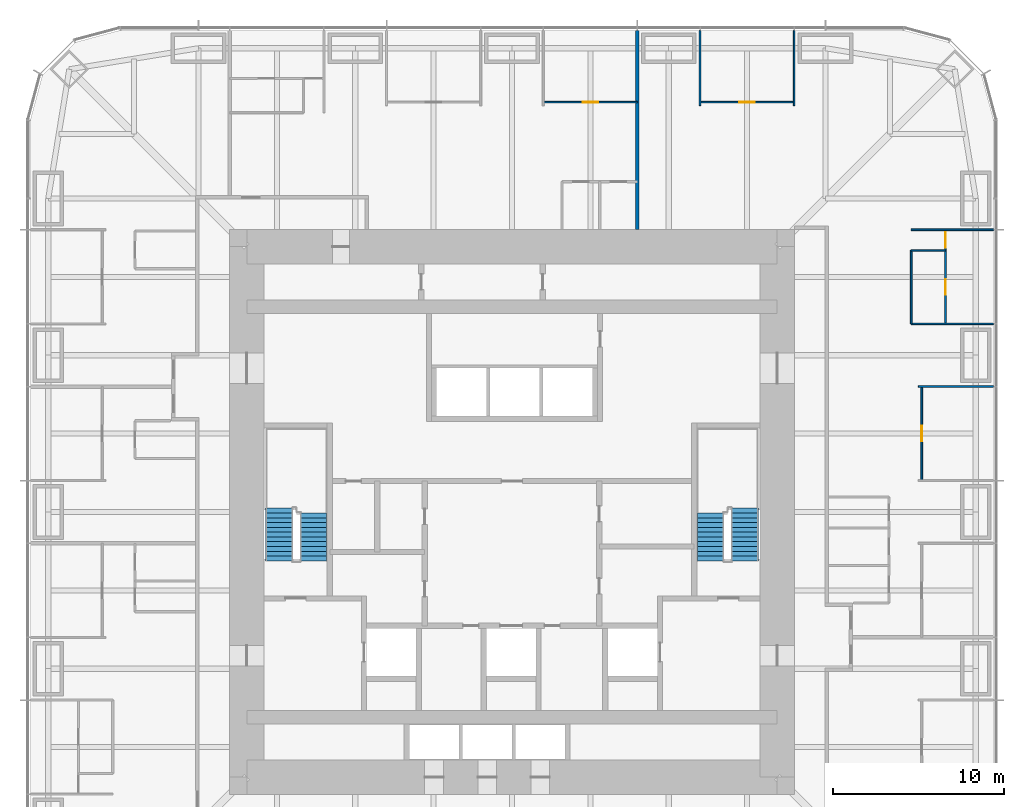
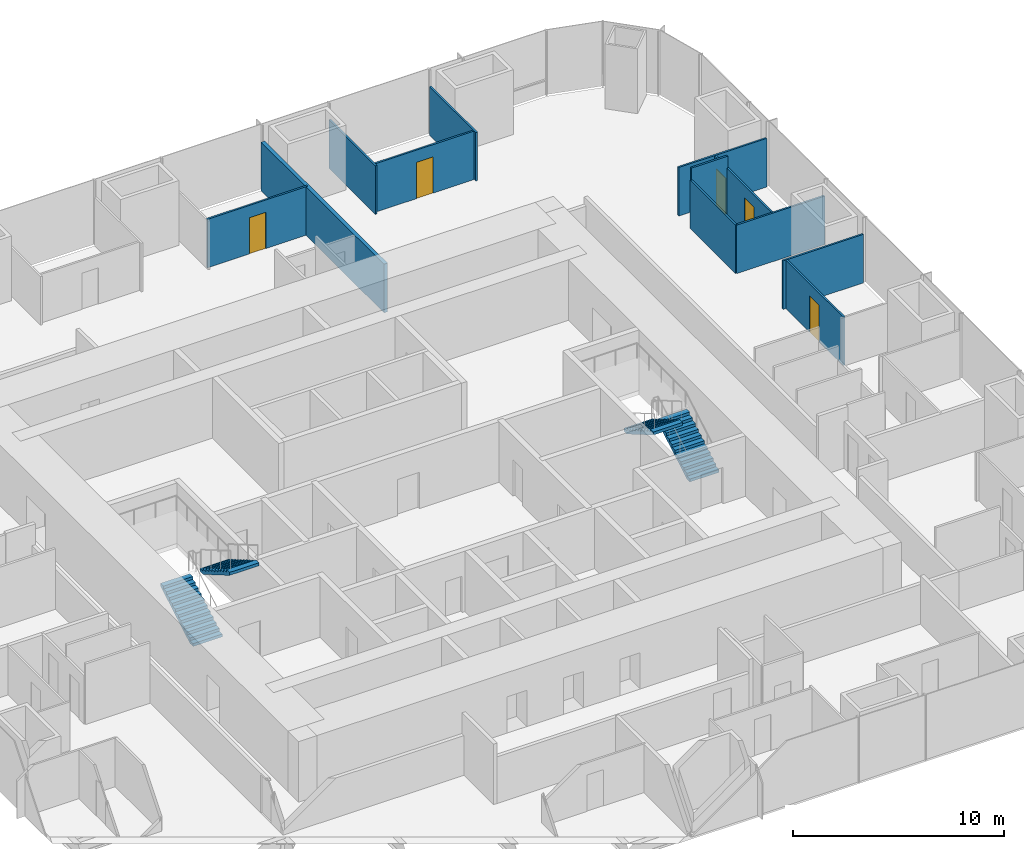
# One storey, part 11 of 12: 12 walls, 5 doors, 4 stair flights, 5 openings, 2 elements without a shape of their own.
"""IFC4 building model written with IfcOpenShell, lengths in metres."""

from ifc_helpers import new_model, si_unit, direction, frame, frame_2d, origin, place, context, subcontext, project, spatial, polyline, rectangle, outline, extrude, material, layer, layer_set, type_object, element, fill, aggregate, save


model = new_model("IFC4")

# Units and contexts
model_context = context("Model", 3, precision=1e-05, world=origin(), true_north=direction((0.0, 1.0)))
body_context = subcontext(model_context, "Body", "Model", "MODEL_VIEW")
ifc_project = project(units=[si_unit("LENGTHUNIT", "METRE"), si_unit("AREAUNIT", "SQUARE_METRE"), si_unit("VOLUMEUNIT", "CUBIC_METRE"), si_unit("PLANEANGLEUNIT", "RADIAN"), si_unit("MASSUNIT", "GRAM", prefix="KILO")], contexts=[model_context])

# Site, building, storey
site_placement = place(None, origin())
site = spatial("IfcSite", under=ifc_project, at=site_placement, CompositionType="ELEMENT")
building_placement = place(site_placement, origin())
building = spatial("IfcBuilding", under=site, at=building_placement, Name="Khuree Lantern Residences", CompositionType="ELEMENT")
storey_placement = place(building_placement, frame((0.0, 0.0, 178.5)))
storey = spatial("IfcBuildingStorey", under=building, at=storey_placement, Name="L45", CompositionType="ELEMENT", Elevation=178.5)

# Walls
ifc_material_1 = material(Name="Gypsum board on steel studs", Category="steel")
ifc_layer_1 = layer(ifc_material_1, 0.199951171875)
ifc_layer_set_1 = layer_set([ifc_layer_1], Name="DEMISING WALL DMW200 EI 90")
wall_type_1 = type_object("IfcWallType", Name="DEMISING WALL DMW200 EI 90", PredefinedType="PARTITIONING", material=ifc_layer_set_1)
wall_1_placement = place(storey_placement, frame((7.327880859375, 16.5, 0.0), z_axis=(0.0, 0.0, 1.0), x_axis=(0.0, 1.0, 0.0)))
element("IfcWall", 1, at=wall_1_placement, inside=storey, type_object=wall_type_1, Name="L45 DEMISING WALL 02", PredefinedType="PARTITIONING", context=body_context, shape_type="SweptSolid", body=[
    extrude(rectangle(XDim=11.64990234375, YDim=0.199951171875, at=frame_2d((5.824951171875, 0.0))), origin(), (0.0, 0.0, 1.0), 2.81005859375),
])
ifc_layer_2 = layer(ifc_material_1, 0.10009765625)
ifc_layer_set_2 = layer_set([ifc_layer_2], Name="PARTITION PT100")
wall_type_2 = type_object("IfcWallType", Name="PARTITION PT100", PredefinedType="PARTITIONING", material=ifc_layer_set_2)
wall_2_placement = place(storey_placement, frame((23.75, 7.327880859375, 0.0), z_axis=(0.0, 0.0, 1.0), x_axis=(1.0, 0.0, 0.0)))
element("IfcWall", 2, at=wall_2_placement, inside=storey, type_object=wall_type_2, Name="L45 PARTITION 01", PredefinedType="PARTITIONING", context=body_context, shape_type="SweptSolid", body=[
    extrude(rectangle(XDim=4.39990234375, YDim=0.10009765625, at=frame_2d((2.199951171875, 0.0))), origin(), (0.0, 0.0, 1.0), 2.81005859375),
])
for number, where, z_axis, x_axis, name in (
    (3, (23.329833984375, 10.991943359375, 0.0), (0.0, 0.0, 1.0), (1.0, 0.0, 0.0), "L45 PARTITION 01"),
    (4, (23.329833984375, 16.488037109375, 0.0), (0.0, 0.0, 1.0), (1.0, 0.0, 0.0), "L45 PARTITION 01"),
):
    element("IfcWall", number, at=place(storey_placement, frame(where, z_axis=z_axis, x_axis=x_axis)), inside=storey, type_object=wall_type_2, Name=name, PredefinedType="PARTITIONING", context=body_context, shape_type="SweptSolid", body=[
        extrude(rectangle(XDim=4.820068359375, YDim=0.10009765625, at=frame_2d((2.41015625, 0.0))), origin(), (0.0, 0.0, 1.0), 2.81005859375),
    ])
for number, where, z_axis, x_axis, name in (
    (5, (16.488037109375, 23.75, 0.0), (0.0, 0.0, 1.0), (0.0, 1.0, 0.0), "L45 PARTITION 01"),
    (6, (10.991943359375, 23.75, 0.0), (0.0, 0.0, 1.0), (0.0, 1.0, 0.0), "L45 PARTITION 01"),
):
    element("IfcWall", number, at=place(storey_placement, frame(where, z_axis=z_axis, x_axis=x_axis)), inside=storey, type_object=wall_type_2, Name=name, PredefinedType="PARTITIONING", context=body_context, shape_type="SweptSolid", body=[
        extrude(rectangle(XDim=4.39990234375, YDim=0.10009765625, at=frame_2d((2.199951171875, 0.0))), origin(), (0.0, 0.0, 1.0), 2.81005859375),
    ])

# Wall, opening, door
wall_3_placement = place(storey_placement, frame((23.949951171875, 1.83203125, 0.0), z_axis=(0.0, 0.0, 1.0), x_axis=(0.0, 1.0, 0.0)))
wall_3 = element("IfcWall", 7, at=wall_3_placement, inside=storey, type_object=wall_type_2, Name="L45 PARTITION 01", PredefinedType="PARTITIONING", context=body_context, shape_type="SweptSolid", body=[
    extrude(rectangle(XDim=5.495849609375, YDim=0.10009765625, at=frame_2d((2.748046875, 0.0))), origin(), (0.0, 0.0, 1.0), 2.81005859375),
])
opening_1_placement = place(wall_3_placement, frame((2.298095703125, 0.0, 0.0)))
opening_1 = element("IfcOpeningElement", 8, at=opening_1_placement, cuts=wall_3, Name="Opening 45-026", PredefinedType="OPENING", context=body_context, shape_type="SweptSolid", body=[
    extrude(rectangle(XDim=0.89990234375, YDim=2.10009765625, at=frame_2d((0.449951171875, 1.050048828125))), frame((0.0, 0.06005859375, 0.0), z_axis=(0.0, -1.0, 0.0), x_axis=(1.0, 0.0, 0.0)), (0.0, 0.0, 1.0), 0.1201171875),
])
ifc_material_2 = material(Name="Timber door leaf in hardwood frame", Category="wood")
door_type_1 = type_object("IfcDoorType", Name="BEDROOM DOOR 900X2100", OperationType="SINGLE_SWING_LEFT", PredefinedType="DOOR", material=ifc_material_2)
door_1_placement = place(opening_1_placement, origin())
door_1 = element("IfcDoor", 9, at=door_1_placement, inside=storey, type_object=door_type_1, Name="Bedroom door 45-026", OperationType="SINGLE_SWING_LEFT", OverallHeight=2.10009765625, OverallWidth=0.89990234375, PredefinedType="DOOR", context=body_context, shape_type="SweptSolid", body=[
    extrude(rectangle(XDim=0.89990234375, YDim=2.10009765625, at=frame_2d((0.449951171875, 1.050048828125))), frame((0.0, 0.02490234375, 0.0), z_axis=(0.0, -1.0, 0.0), x_axis=(1.0, 0.0, 0.0)), (0.0, 0.0, 1.0), 0.050048828125),
])
fill(opening_1, door_1)

# Wall, openings, doors
wall_4_placement = place(storey_placement, frame((25.329833984375, 10.991943359375, 0.0), z_axis=(0.0, 0.0, 1.0), x_axis=(0.0, 1.0, 0.0)))
wall_4 = element("IfcWall", 10, at=wall_4_placement, inside=storey, type_object=wall_type_2, Name="L45 PARTITION 01", PredefinedType="PARTITIONING", context=body_context, shape_type="SweptSolid", body=[
    extrude(rectangle(XDim=5.49609375, YDim=0.10009765625, at=frame_2d((2.748046875, 0.0))), origin(), (0.0, 0.0, 1.0), 2.81005859375),
])
opening_2_placement = place(wall_4_placement, frame((4.446044921875, 0.0, 0.0)))
opening_2 = element("IfcOpeningElement", 11, at=opening_2_placement, cuts=wall_4, Name="Opening 45-027", PredefinedType="OPENING", context=body_context, shape_type="SweptSolid", body=[
    extrude(rectangle(XDim=0.89990234375, YDim=2.10009765625, at=frame_2d((0.449951171875, 1.050048828125))), frame((0.0, 0.06005859375, 0.0), z_axis=(0.0, -1.0, 0.0), x_axis=(1.0, 0.0, 0.0)), (0.0, 0.0, 1.0), 0.1201171875),
])
opening_3_placement = place(wall_4_placement, frame((1.697998046875, 0.0, 0.0)))
opening_3 = element("IfcOpeningElement", 12, at=opening_3_placement, cuts=wall_4, Name="Opening 45-028", PredefinedType="OPENING", context=body_context, shape_type="SweptSolid", body=[
    extrude(rectangle(XDim=0.89990234375, YDim=2.10009765625, at=frame_2d((0.449951171875, 1.050048828125))), frame((0.0, 0.06005859375, 0.0), z_axis=(0.0, -1.0, 0.0), x_axis=(1.0, 0.0, 0.0)), (0.0, 0.0, 1.0), 0.1201171875),
])
door_2_placement = place(opening_2_placement, origin())
door_2 = element("IfcDoor", 13, at=door_2_placement, inside=storey, type_object=door_type_1, Name="Bedroom door 45-027", OperationType="SINGLE_SWING_LEFT", OverallHeight=2.10009765625, OverallWidth=0.89990234375, PredefinedType="DOOR", context=body_context, shape_type="SweptSolid", body=[
    extrude(rectangle(XDim=0.89990234375, YDim=2.10009765625, at=frame_2d((0.449951171875, 1.050048828125))), frame((0.0, 0.02490234375, 0.0), z_axis=(0.0, -1.0, 0.0), x_axis=(1.0, 0.0, 0.0)), (0.0, 0.0, 1.0), 0.050048828125),
])
fill(opening_2, door_2)
door_type_2 = type_object("IfcDoorType", Name="DOOR 900X2100", OperationType="SINGLE_SWING_LEFT", PredefinedType="DOOR", material=ifc_material_2)
door_3_placement = place(opening_3_placement, origin())
door_3 = element("IfcDoor", 14, at=door_3_placement, inside=storey, type_object=door_type_2, Name="Wardrobe door 45-028", OperationType="SINGLE_SWING_LEFT", OverallHeight=2.10009765625, OverallWidth=0.89990234375, PredefinedType="DOOR", context=body_context, shape_type="SweptSolid", body=[
    extrude(rectangle(XDim=0.89990234375, YDim=2.10009765625, at=frame_2d((0.449951171875, 1.050048828125))), frame((0.0, 0.02490234375, 0.0), z_axis=(0.0, -1.0, 0.0), x_axis=(1.0, 0.0, 0.0)), (0.0, 0.0, 1.0), 0.050048828125),
])
fill(opening_3, door_3)

# Walls
wall_5_placement = place(storey_placement, frame((23.329833984375, 15.2880859375, 0.0), z_axis=(0.0, 0.0, 1.0), x_axis=(1.0, 0.0, 0.0)))
element("IfcWall", 15, at=wall_5_placement, inside=storey, type_object=wall_type_2, Name="L45 PARTITION 01", PredefinedType="PARTITIONING", context=body_context, shape_type="SweptSolid", body=[
    extrude(rectangle(XDim=2.0, YDim=0.10009765625, at=frame_2d((1.0, 0.0))), origin(), (0.0, 0.0, 1.0), 3.5),
])
wall_6_placement = place(storey_placement, frame((23.329833984375, 10.991943359375, 0.0), z_axis=(0.0, 0.0, 1.0), x_axis=(0.0, 1.0, 0.0)))
element("IfcWall", 16, at=wall_6_placement, inside=storey, type_object=wall_type_2, Name="L45 PARTITION 01", PredefinedType="PARTITIONING", context=body_context, shape_type="SweptSolid", body=[
    extrude(rectangle(XDim=4.296142578125, YDim=0.10009765625, at=frame_2d((2.14794921875, 0.0))), origin(), (0.0, 0.0, 1.0), 2.81005859375),
])

# Wall, opening, door
wall_7_placement = place(storey_placement, frame((16.488037109375, 23.949951171875, 0.0), z_axis=(0.0, 0.0, 1.0), x_axis=(-1.0, 0.0, 0.0)))
wall_7 = element("IfcWall", 17, at=wall_7_placement, inside=storey, type_object=wall_type_2, Name="L45 PARTITION 01", PredefinedType="PARTITIONING", context=body_context, shape_type="SweptSolid", body=[
    extrude(rectangle(XDim=5.49609375, YDim=0.10009765625, at=frame_2d((2.748046875, 0.0))), origin(), (0.0, 0.0, 1.0), 2.81005859375),
])
opening_4_placement = place(wall_7_placement, frame((2.298095703125, 0.0, 0.0)))
opening_4 = element("IfcOpeningElement", 18, at=opening_4_placement, cuts=wall_7, Name="Opening 45-029", PredefinedType="OPENING", context=body_context, shape_type="SweptSolid", body=[
    extrude(rectangle(XDim=0.89990234375, YDim=2.10009765625, at=frame_2d((0.449951171875, 1.050048828125))), frame((0.0, 0.06005859375, 0.0), z_axis=(0.0, -1.0, 0.0), x_axis=(1.0, 0.0, 0.0)), (0.0, 0.0, 1.0), 0.1201171875),
])
door_4_placement = place(opening_4_placement, origin())
door_4 = element("IfcDoor", 19, at=door_4_placement, inside=storey, type_object=door_type_1, Name="Bedroom door 45-029", OperationType="SINGLE_SWING_LEFT", OverallHeight=2.10009765625, OverallWidth=0.89990234375, PredefinedType="DOOR", context=body_context, shape_type="SweptSolid", body=[
    extrude(rectangle(XDim=0.89990234375, YDim=2.10009765625, at=frame_2d((0.449951171875, 1.050048828125))), frame((0.0, 0.02490234375, 0.0), z_axis=(0.0, -1.0, 0.0), x_axis=(1.0, 0.0, 0.0)), (0.0, 0.0, 1.0), 0.050048828125),
])
fill(opening_4, door_4)

wall_8_placement = place(storey_placement, frame((7.327880859375, 23.949951171875, 0.0), z_axis=(0.0, 0.0, 1.0), x_axis=(-1.0, 0.0, 0.0)))
wall_8 = element("IfcWall", 20, at=wall_8_placement, inside=storey, type_object=wall_type_2, Name="L45 PARTITION 02", PredefinedType="PARTITIONING", context=body_context, shape_type="SweptSolid", body=[
    extrude(rectangle(XDim=5.495849609375, YDim=0.10009765625, at=frame_2d((2.748046875, 0.0))), origin(), (0.0, 0.0, 1.0), 2.81005859375),
])
opening_5_placement = place(wall_8_placement, frame((2.298095703125, 0.0, 0.0)))
opening_5 = element("IfcOpeningElement", 21, at=opening_5_placement, cuts=wall_8, Name="Opening 45-034", PredefinedType="OPENING", context=body_context, shape_type="SweptSolid", body=[
    extrude(rectangle(XDim=0.89990234375, YDim=2.10009765625, at=frame_2d((0.449951171875, 1.050048828125))), frame((0.0, 0.06005859375, 0.0), z_axis=(0.0, -1.0, 0.0), x_axis=(1.0, 0.0, 0.0)), (0.0, 0.0, 1.0), 0.1201171875),
])
door_5_placement = place(opening_5_placement, origin())
door_5 = element("IfcDoor", 22, at=door_5_placement, inside=storey, type_object=door_type_1, Name="Bedroom door 45-034", OperationType="SINGLE_SWING_LEFT", OverallHeight=2.10009765625, OverallWidth=0.89990234375, PredefinedType="DOOR", context=body_context, shape_type="SweptSolid", body=[
    extrude(rectangle(XDim=0.89990234375, YDim=2.10009765625, at=frame_2d((0.449951171875, 1.050048828125))), frame((0.0, 0.02490234375, 0.0), z_axis=(0.0, -1.0, 0.0), x_axis=(1.0, 0.0, 0.0)), (0.0, 0.0, 1.0), 0.050048828125),
])
fill(opening_5, door_5)

# Stair, stair flights
ifc_material_3 = material(Name="Concrete C40/50", Category="concrete")
stair_type = type_object("IfcStairType", Name="STAIR ST1 HALF TURN 3600", PredefinedType="HALF_TURN_STAIR", material=ifc_material_3)
stair_1_placement = place(storey_placement, origin())
stair_1 = element("IfcStair", 23, at=stair_1_placement, inside=storey, type_object=stair_type, Name="Stair ST1", PredefinedType="HALF_TURN_STAIR")
stair_flight_type = type_object("IfcStairFlightType", Name="STAIR FLIGHT SF1 1600", PredefinedType="STRAIGHT", material=ifc_material_3)
stair_flight_1_placement = place(storey_placement, frame((-13.60009765625, -2.860107421875, 0.0), z_axis=(0.0, 0.0, 1.0), x_axis=(0.0, 1.0, 0.0)))
stair_flight_1 = element("IfcStairFlight", 24, at=stair_flight_1_placement, type_object=stair_flight_type, Name="ST1 flight 1", NumberOfRisers=12, NumberOfTreads=11, PredefinedType="STRAIGHT", RiserHeight=0.163043478, TreadLength=0.28, context=body_context, shape_type="SweptSolid", body=[
    extrude(outline(polyline([(0.0, 0.0), (0.0, 0.1630859375), (0.280029296875, 0.1630859375), (0.280029296875, 0.326171875), (0.56005859375, 0.326171875), (0.56005859375, 0.489013671875), (0.840087890625, 0.489013671875), (0.840087890625, 0.652099609375), (1.1201171875, 0.652099609375), (1.1201171875, 0.815185546875), (1.39990234375, 0.815185546875), (1.39990234375, 0.978271484375), (1.679931640625, 0.978271484375), (1.679931640625, 1.141357421875), (1.9599609375, 1.141357421875), (1.9599609375, 1.304443359375), (2.239990234375, 1.304443359375), (2.239990234375, 1.46728515625), (2.52001953125, 1.46728515625), (2.52001953125, 1.63037109375), (2.800048828125, 1.63037109375), (2.800048828125, 1.79345703125), (3.080078125, 1.79345703125), (3.080078125, 1.95654296875), (3.080078125, 1.6201171875), (0.2978515625, 0.0), (0.0, 0.0)])), frame((0.0, 0.800048828125, 0.0), z_axis=(0.0, -1.0, 0.0), x_axis=(1.0, 0.0, 0.0)), (0.0, 0.0, 1.0), 1.60009765625),
])
stair_flight_2_placement = place(storey_placement, frame((-11.60009765625, -0.06005859375, 1.95654296875), z_axis=(0.0, 0.0, 1.0), x_axis=(0.0, -1.0, 0.0)))
stair_flight_2 = element("IfcStairFlight", 25, at=stair_flight_2_placement, type_object=stair_flight_type, Name="ST1 flight 2", NumberOfRisers=11, NumberOfTreads=10, PredefinedType="STRAIGHT", RiserHeight=0.163043478, TreadLength=0.28, context=body_context, shape_type="SweptSolid", body=[
    extrude(outline(polyline([(0.0, 0.0), (0.0, 0.1630859375), (0.280029296875, 0.1630859375), (0.280029296875, 0.326171875), (0.56005859375, 0.326171875), (0.56005859375, 0.489013671875), (0.840087890625, 0.489013671875), (0.840087890625, 0.652099609375), (1.1201171875, 0.652099609375), (1.1201171875, 0.815185546875), (1.39990234375, 0.815185546875), (1.39990234375, 0.978271484375), (1.679931640625, 0.978271484375), (1.679931640625, 1.141357421875), (1.9599609375, 1.141357421875), (1.9599609375, 1.304443359375), (2.239990234375, 1.304443359375), (2.239990234375, 1.46728515625), (2.52001953125, 1.46728515625), (2.52001953125, 1.63037109375), (2.800048828125, 1.63037109375), (2.800048828125, 1.79345703125), (2.800048828125, 1.45703125), (0.2978515625, 0.0), (0.0, 0.0)])), frame((0.0, 0.800048828125, 0.0), z_axis=(0.0, -1.0, 0.0), x_axis=(1.0, 0.0, 0.0)), (0.0, 0.0, 1.0), 1.60009765625),
])
aggregate(stair_1, [stair_flight_1, stair_flight_2])

stair_2_placement = place(storey_placement, origin())
stair_2 = element("IfcStair", 26, at=stair_2_placement, inside=storey, type_object=stair_type, Name="Stair ST2", PredefinedType="HALF_TURN_STAIR")
stair_flight_3_placement = place(storey_placement, frame((13.60009765625, -2.860107421875, 0.0), z_axis=(0.0, 0.0, 1.0), x_axis=(0.0, 1.0, 0.0)))
stair_flight_3 = element("IfcStairFlight", 27, at=stair_flight_3_placement, type_object=stair_flight_type, Name="ST2 flight 1", NumberOfRisers=12, NumberOfTreads=11, PredefinedType="STRAIGHT", RiserHeight=0.163043478, TreadLength=0.28, context=body_context, shape_type="SweptSolid", body=[
    extrude(outline(polyline([(0.0, 0.0), (0.0, 0.1630859375), (0.280029296875, 0.1630859375), (0.280029296875, 0.326171875), (0.56005859375, 0.326171875), (0.56005859375, 0.489013671875), (0.840087890625, 0.489013671875), (0.840087890625, 0.652099609375), (1.1201171875, 0.652099609375), (1.1201171875, 0.815185546875), (1.39990234375, 0.815185546875), (1.39990234375, 0.978271484375), (1.679931640625, 0.978271484375), (1.679931640625, 1.141357421875), (1.9599609375, 1.141357421875), (1.9599609375, 1.304443359375), (2.239990234375, 1.304443359375), (2.239990234375, 1.46728515625), (2.52001953125, 1.46728515625), (2.52001953125, 1.63037109375), (2.800048828125, 1.63037109375), (2.800048828125, 1.79345703125), (3.080078125, 1.79345703125), (3.080078125, 1.95654296875), (3.080078125, 1.6201171875), (0.2978515625, 0.0), (0.0, 0.0)])), frame((0.0, 0.800048828125, 0.0), z_axis=(0.0, -1.0, 0.0), x_axis=(1.0, 0.0, 0.0)), (0.0, 0.0, 1.0), 1.60009765625),
])
stair_flight_4_placement = place(storey_placement, frame((11.60009765625, -0.06005859375, 1.95654296875), z_axis=(0.0, 0.0, 1.0), x_axis=(0.0, -1.0, 0.0)))
stair_flight_4 = element("IfcStairFlight", 28, at=stair_flight_4_placement, type_object=stair_flight_type, Name="ST2 flight 2", NumberOfRisers=11, NumberOfTreads=10, PredefinedType="STRAIGHT", RiserHeight=0.163043478, TreadLength=0.28, context=body_context, shape_type="SweptSolid", body=[
    extrude(outline(polyline([(0.0, 0.0), (0.0, 0.1630859375), (0.280029296875, 0.1630859375), (0.280029296875, 0.326171875), (0.56005859375, 0.326171875), (0.56005859375, 0.489013671875), (0.840087890625, 0.489013671875), (0.840087890625, 0.652099609375), (1.1201171875, 0.652099609375), (1.1201171875, 0.815185546875), (1.39990234375, 0.815185546875), (1.39990234375, 0.978271484375), (1.679931640625, 0.978271484375), (1.679931640625, 1.141357421875), (1.9599609375, 1.141357421875), (1.9599609375, 1.304443359375), (2.239990234375, 1.304443359375), (2.239990234375, 1.46728515625), (2.52001953125, 1.46728515625), (2.52001953125, 1.63037109375), (2.800048828125, 1.63037109375), (2.800048828125, 1.79345703125), (2.800048828125, 1.45703125), (0.2978515625, 0.0), (0.0, 0.0)])), frame((0.0, 0.800048828125, 0.0), z_axis=(0.0, -1.0, 0.0), x_axis=(1.0, 0.0, 0.0)), (0.0, 0.0, 1.0), 1.60009765625),
])
aggregate(stair_2, [stair_flight_3, stair_flight_4])

save(model, "model.ifc")
